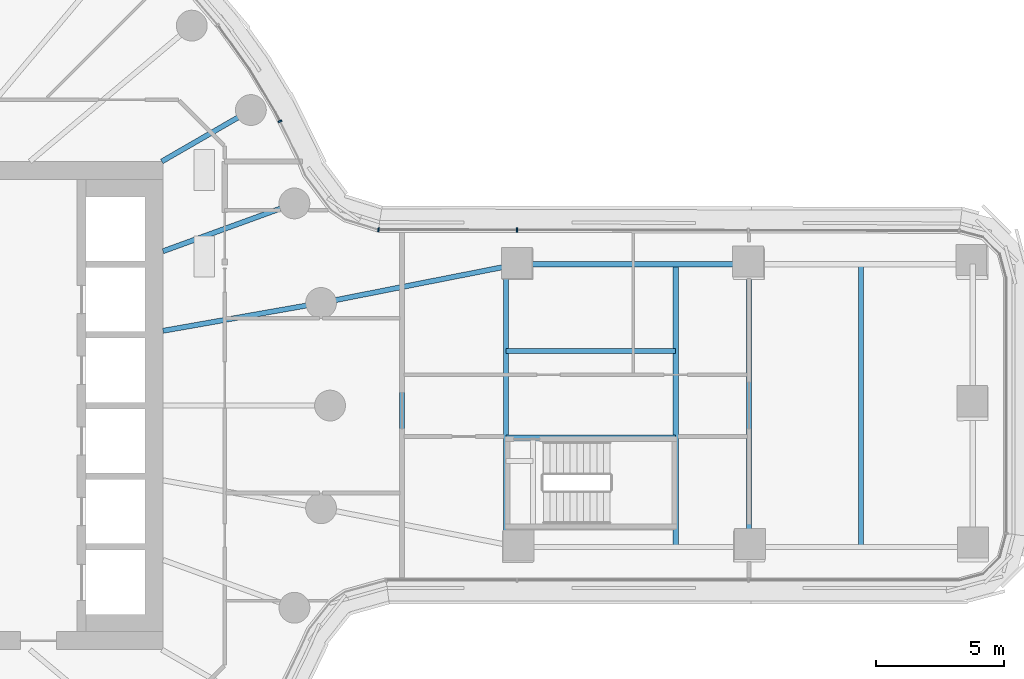
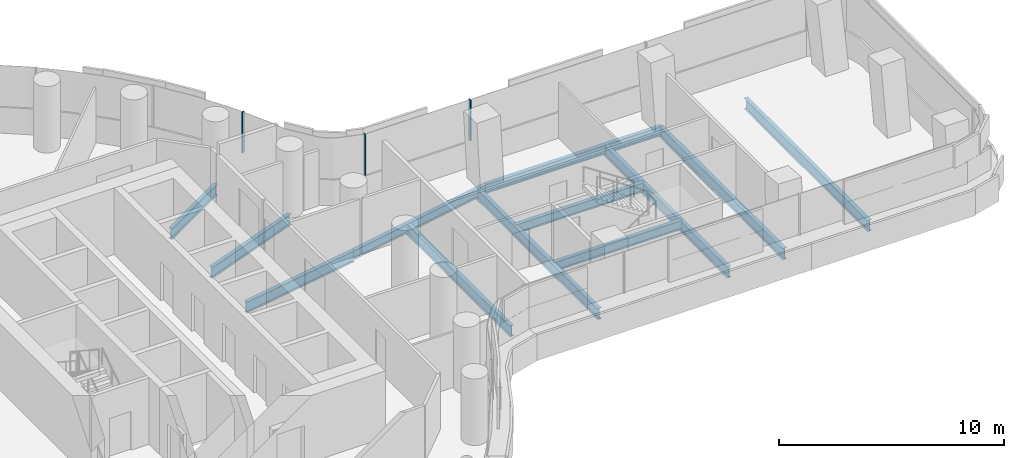
# One storey, part 11 of 32: 12 beams, 3 members, 2 elements without a shape of their own.
"""IFC4 building model written with IfcOpenShell, lengths in metres."""

from ifc_helpers import new_model, si_unit, direction, frame, origin, origin_2d, place, context, subcontext, project, spatial, rectangle, i_section, extrude, material, layer, layer_set, material_profile, profile_set, type_object, element, aggregate, save


model = new_model("IFC4")

# Units and contexts
model_context = context("Model", 3, precision=1e-05, world=origin(), true_north=direction((0.0, 1.0)))
body_context = subcontext(model_context, "Body", "Model", "MODEL_VIEW")
ifc_project = project(units=[si_unit("LENGTHUNIT", "METRE"), si_unit("AREAUNIT", "SQUARE_METRE"), si_unit("VOLUMEUNIT", "CUBIC_METRE"), si_unit("PLANEANGLEUNIT", "RADIAN"), si_unit("MASSUNIT", "GRAM", prefix="KILO")], contexts=[model_context])

# Site, building, storey
site_placement = place(None, origin())
site = spatial("IfcSite", under=ifc_project, at=site_placement, CompositionType="ELEMENT")
building_placement = place(site_placement, origin())
building = spatial("IfcBuilding", under=site, at=building_placement, Name="Tamarind Cross Interchange Tower", CompositionType="ELEMENT")
storey_placement = place(building_placement, frame((0.0, 0.0, 34.0)))
storey = spatial("IfcBuildingStorey", under=building, at=storey_placement, Name="L06", CompositionType="ELEMENT", Elevation=34.0)

# Beams
ifc_material_1 = material(Name="Steel Q355B", Category="steel")
ifc_material_profile_1 = material_profile(ifc_material_1, i_section(OverallWidth=0.198974609375, OverallDepth=0.49609375, WebThickness=0.009033203125, FlangeThickness=0.013916015625, FilletRadius=0.012939453125, at=origin_2d()), Name="HN 496x199x9x14")
ifc_profile_set_1 = profile_set([ifc_material_profile_1], Name="Steel Q355B")
beam_type_1 = type_object("IfcBeamType", Name="Composite beam HN 496x199x9x14 Q355B", PredefinedType="BEAM", material=ifc_profile_set_1)
beam_1_placement = place(storey_placement, frame((39.300048828125, 5.5, -0.387939453125), z_axis=(-1.0, 0.0, 0.0), x_axis=(0.0, -1.0, 0.0)))
element("IfcBeam", 1, at=beam_1_placement, inside=storey, type_object=beam_type_1, Name="Beam E-edgeep3", PredefinedType="BEAM", context=body_context, shape_type="SweptSolid", body=[
    extrude(i_section(OverallWidth=0.198974609375, OverallDepth=0.49609375, WebThickness=0.009033203125, FlangeThickness=0.013916015625, FilletRadius=0.012939453125, at=origin_2d()), origin(), (0.0, 0.0, 1.0), 9.0),
])
beam_2_placement = place(storey_placement, frame((30.300048828125, 5.5, -0.387939453125), z_axis=(-0.981162844726, -0.193182484014, 0.0), x_axis=(0.193182484014, -0.981162844726, 0.0)))
element("IfcBeam", 2, at=beam_2_placement, inside=storey, type_object=beam_type_1, Name="Beam E-linkep", PredefinedType="BEAM", context=body_context, shape_type="SweptSolid", body=[
    extrude(i_section(OverallWidth=0.198974609375, OverallDepth=0.49609375, WebThickness=0.009033203125, FlangeThickness=0.013916015625, FilletRadius=0.012939453125, at=origin_2d()), origin(), (0.0, 0.0, 1.0), 7.79638671875),
])
for number, where, z_axis, x_axis, name in (
    (3, (29.85009765625, -1.25, -0.387939453125), (1.0, 0.0, 0.0), (0.0, 1.0, 0.0), "Beam E-tr1"),
    (4, (29.85009765625, 2.125, -0.387939453125), (1.0, 0.0, 0.0), (0.0, 1.0, 0.0), "Beam E-stripp"),
):
    element("IfcBeam", number, at=place(storey_placement, frame(where, z_axis=z_axis, x_axis=x_axis)), inside=storey, type_object=beam_type_1, Name=name, PredefinedType="BEAM", context=body_context, shape_type="SweptSolid", body=[
        extrude(i_section(OverallWidth=0.198974609375, OverallDepth=0.49609375, WebThickness=0.009033203125, FlangeThickness=0.013916015625, FilletRadius=0.012939453125, at=origin_2d()), origin(), (0.0, 0.0, 1.0), 6.599853515625),
    ])
ifc_material_profile_2 = material_profile(ifc_material_1, i_section(OverallWidth=0.198974609375, OverallDepth=0.595947265625, WebThickness=0.010009765625, FlangeThickness=0.014892578125, FilletRadius=0.012939453125, at=origin_2d()), Name="HN 596x199x10x15")
ifc_profile_set_2 = profile_set([ifc_material_profile_2], Name="Steel Q355B")
beam_type_2 = type_object("IfcBeamType", Name="Composite beam HN 596x199x10x15 Q355B", PredefinedType="BEAM", material=ifc_profile_set_2)
beam_3_placement = place(storey_placement, frame((22.650634765625, 3.993896484375, -0.43798828125), z_axis=(-0.984809127561, -0.173640382036, 0.0), x_axis=(0.173640382036, -0.984809127561, 0.0)))
element("IfcBeam", 5, at=beam_3_placement, inside=storey, type_object=beam_type_2, Name="Beam HH01", PredefinedType="BEAM", context=body_context, shape_type="SweptSolid", body=[
    extrude(i_section(OverallWidth=0.198974609375, OverallDepth=0.595947265625, WebThickness=0.010009765625, FlangeThickness=0.014892578125, FilletRadius=0.012939453125, at=origin_2d()), origin(), (0.0, 0.0, 1.0), 6.24560546875),
])
beam_4_placement = place(storey_placement, frame((21.613037109375, 7.866455078125, -0.43798828125), z_axis=(-0.939701685589, -0.341995236956, 0.0), x_axis=(0.341995236956, -0.939701685589, 0.0)))
element("IfcBeam", 6, at=beam_4_placement, inside=storey, type_object=beam_type_2, Name="Beam HH02", PredefinedType="BEAM", context=body_context, shape_type="SweptSolid", body=[
    extrude(i_section(OverallWidth=0.198974609375, OverallDepth=0.595947265625, WebThickness=0.010009765625, FlangeThickness=0.014892578125, FilletRadius=0.012939453125, at=origin_2d()), origin(), (0.0, 0.0, 1.0), 5.441162109375),
])
beam_5_placement = place(storey_placement, frame((19.918701171875, 11.5, -0.43798828125), z_axis=(-0.866026010844, -0.49999894854, 0.0), x_axis=(0.49999894854, -0.866026010844, 0.0)))
element("IfcBeam", 7, at=beam_5_placement, inside=storey, type_object=beam_type_2, Name="Beam HH03", PredefinedType="BEAM", context=body_context, shape_type="SweptSolid", body=[
    extrude(i_section(OverallWidth=0.198974609375, OverallDepth=0.595947265625, WebThickness=0.010009765625, FlangeThickness=0.014892578125, FilletRadius=0.012939453125, at=origin_2d()), origin(), (0.0, 0.0, 1.0), 4.0),
])
ifc_material_profile_3 = material_profile(ifc_material_1, i_section(OverallWidth=0.199951171875, OverallDepth=0.60009765625, WebThickness=0.010986328125, FlangeThickness=0.01708984375, FilletRadius=0.012939453125, at=origin_2d()), Name="HN 600x200x11x17")
ifc_profile_set_3 = profile_set([ifc_material_profile_3], Name="Steel Q355B")
beam_type_3 = type_object("IfcBeamType", Name="Composite beam HN 600x200x11x17 Q355B", PredefinedType="BEAM", material=ifc_profile_set_3)
beam_6_placement = place(storey_placement, frame((29.85009765625, -5.411376953125, -0.43994140625), z_axis=(0.0, 1.0, 0.0), x_axis=(-1.0, 0.0, 0.0)))
element("IfcBeam", 8, at=beam_6_placement, inside=storey, type_object=beam_type_3, Name="Beam E-x298", PredefinedType="BEAM", context=body_context, shape_type="SweptSolid", body=[
    extrude(i_section(OverallWidth=0.199951171875, OverallDepth=0.60009765625, WebThickness=0.010986328125, FlangeThickness=0.01708984375, FilletRadius=0.012939453125, at=origin_2d()), origin(), (0.0, 0.0, 1.0), 10.82275390625),
])
for number, where, z_axis, x_axis, name in (
    (9, (36.449951171875, -5.5, -0.43994140625), (0.0, 1.0, 0.0), (-1.0, 0.0, 0.0), "Beam E-x364"),
    (10, (39.300048828125, -5.5, -0.43994140625), (0.0, 1.0, 0.0), (-1.0, 0.0, 0.0), "Beam E-x393"),
):
    element("IfcBeam", number, at=place(storey_placement, frame(where, z_axis=z_axis, x_axis=x_axis)), inside=storey, type_object=beam_type_3, Name=name, PredefinedType="BEAM", context=body_context, shape_type="SweptSolid", body=[
        extrude(i_section(OverallWidth=0.199951171875, OverallDepth=0.60009765625, WebThickness=0.010986328125, FlangeThickness=0.01708984375, FilletRadius=0.012939453125, at=origin_2d()), origin(), (0.0, 0.0, 1.0), 11.0),
    ])
beam_7_placement = place(storey_placement, frame((25.800048828125, -4.614013671875, -0.43994140625), z_axis=(0.0, 1.0, 0.0), x_axis=(-1.0, 0.0, 0.0)))
element("IfcBeam", 11, at=beam_7_placement, inside=storey, type_object=beam_type_3, Name="Beam E-x258", PredefinedType="BEAM", context=body_context, shape_type="SweptSolid", body=[
    extrude(i_section(OverallWidth=0.199951171875, OverallDepth=0.60009765625, WebThickness=0.010986328125, FlangeThickness=0.01708984375, FilletRadius=0.012939453125, at=origin_2d()), origin(), (0.0, 0.0, 1.0), 9.22802734375),
])
beam_8_placement = place(storey_placement, frame((43.65380859375, -5.5, -0.43994140625), z_axis=(0.0, 1.0, 0.0), x_axis=(-1.0, 0.0, 0.0)))
element("IfcBeam", 12, at=beam_8_placement, inside=storey, type_object=beam_type_3, Name="Beam E-x437", PredefinedType="BEAM", context=body_context, shape_type="SweptSolid", body=[
    extrude(i_section(OverallWidth=0.199951171875, OverallDepth=0.60009765625, WebThickness=0.010986328125, FlangeThickness=0.01708984375, FilletRadius=0.012939453125, at=origin_2d()), origin(), (0.0, 0.0, 1.0), 11.0),
])

# Curtain wall, member
ifc_material_2 = material(Name="Aluminium 6063-T6", Category="aluminium")
ifc_layer_1 = layer(ifc_material_2, 0.159912109375)
ifc_layer_set_1 = layer_set([ifc_layer_1], Name="Aluminium 6063-T6")
curtain_wall_type_1 = type_object("IfcCurtainWallType", Name="Office curtain wall, 9.0 m bays", PredefinedType="NOTDEFINED", material=ifc_layer_set_1)
curtain_wall_1_placement = place(storey_placement, origin())
curtain_wall_1 = element("IfcCurtainWall", 13, at=curtain_wall_1_placement, inside=storey, type_object=curtain_wall_type_1, Name="CWS-L06-10", PredefinedType="NOTDEFINED")
ifc_material_profile_4 = material_profile(ifc_material_2, rectangle(XDim=0.06005859375, YDim=0.159912109375, at=origin_2d()), Name="Mullion CW1")
ifc_profile_set_4 = profile_set([ifc_material_profile_4], Name="Aluminium 6063-T6")
member_type_1 = type_object("IfcMemberType", Name="Mullion CW1", PredefinedType="MULLION", material=ifc_profile_set_4)
member_1_placement = place(storey_placement, frame((30.270751953125, 6.833740234375, 1.39990234375), z_axis=(0.0, 0.0, 1.0), x_axis=(-0.999998075717, 0.00196177549, 0.0)))
member_1 = element("IfcMember", 14, at=member_1_placement, type_object=member_type_1, Name="CWM-L06-10-02", PredefinedType="MULLION", context=body_context, shape_type="SweptSolid", body=[
    extrude(rectangle(XDim=0.06005859375, YDim=0.159912109375, at=origin_2d()), origin(), (0.0, 0.0, 1.0), 2.210205078125),
])
aggregate(curtain_wall_1, [member_1])

# Curtain wall, members
ifc_layer_2 = layer(ifc_material_2, 0.14990234375)
ifc_layer_set_2 = layer_set([ifc_layer_2], Name="Aluminium 6063-T6")
curtain_wall_type_2 = type_object("IfcCurtainWallType", Name="Winter garden and crown curtain wall", PredefinedType="NOTDEFINED", material=ifc_layer_set_2)
curtain_wall_2_placement = place(storey_placement, origin())
curtain_wall_2 = element("IfcCurtainWall", 15, at=curtain_wall_2_placement, inside=storey, type_object=curtain_wall_type_2, Name="CWS-L06-11", PredefinedType="NOTDEFINED")
ifc_material_profile_5 = material_profile(ifc_material_2, rectangle(XDim=0.06005859375, YDim=0.14990234375, at=origin_2d()), Name="Mullion CW6")
ifc_profile_set_5 = profile_set([ifc_material_profile_5], Name="Aluminium 6063-T6")
member_type_2 = type_object("IfcMemberType", Name="Mullion CW6", PredefinedType="MULLION", material=ifc_profile_set_5)
member_2_placement = place(storey_placement, frame((24.884765625, 6.844482421875, 1.39990234375), z_axis=(0.0, 0.0, 1.0), x_axis=(-0.988647216004, 0.150255390212, 0.0)))
member_2 = element("IfcMember", 16, at=member_2_placement, type_object=member_type_2, Name="CWM-L06-11-00", PredefinedType="MULLION", context=body_context, shape_type="SweptSolid", body=[
    extrude(rectangle(XDim=0.06005859375, YDim=0.14990234375, at=origin_2d()), origin(), (0.0, 0.0, 1.0), 2.210205078125),
])
member_3_placement = place(storey_placement, frame((21.0537109375, 11.0615234375, 1.39990234375), z_axis=(0.0, 0.0, 1.0), x_axis=(-0.443058811505, 0.896492548518, 0.0)))
member_3 = element("IfcMember", 17, at=member_3_placement, type_object=member_type_2, Name="CWM-L06-11-01", PredefinedType="MULLION", context=body_context, shape_type="SweptSolid", body=[
    extrude(rectangle(XDim=0.06005859375, YDim=0.14990234375, at=origin_2d()), origin(), (0.0, 0.0, 1.0), 2.210205078125),
])
aggregate(curtain_wall_2, [member_2, member_3])

save(model, "model.ifc")
